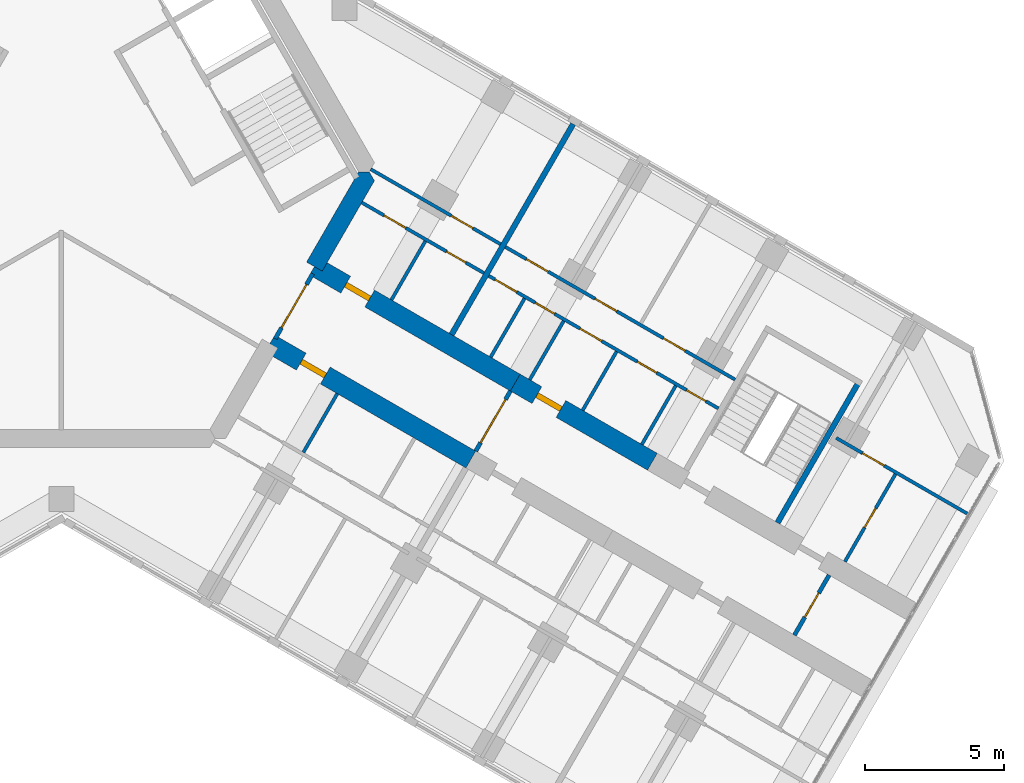
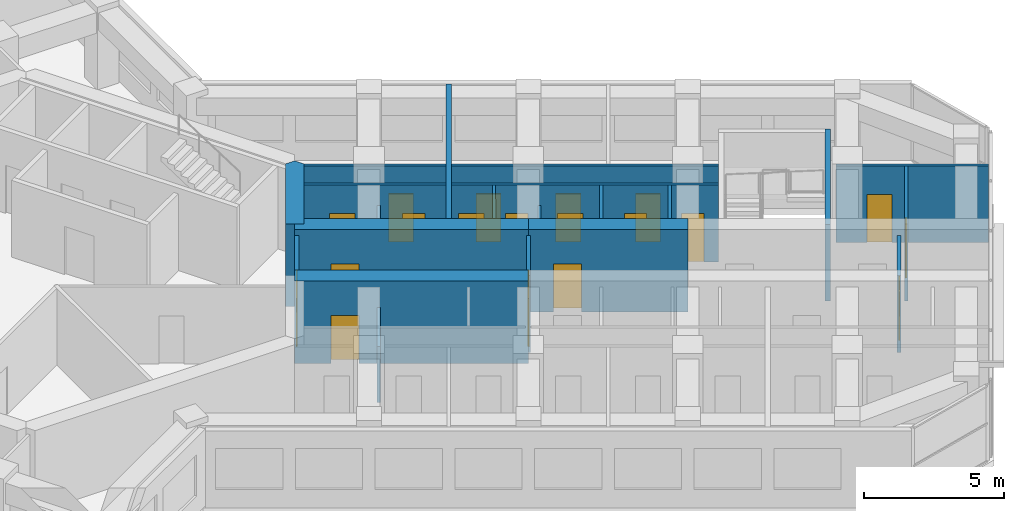
# One storey, part 12 of 16: 21 walls, 19 doors, 19 openings.
"""IFC4 building model written with IfcOpenShell, lengths in metres."""

from ifc_helpers import new_model, si_unit, direction, frame, frame_2d, origin, place, context, subcontext, project, spatial, polyline, rectangle, outline, extrude, material, layer, layer_set, type_object, element, fill, save


model = new_model("IFC4")

# Units and contexts
model_context = context("Model", 3, precision=1e-05, world=origin(), true_north=direction((0.0, 1.0)))
body_context = subcontext(model_context, "Body", "Model", "MODEL_VIEW")
ifc_project = project(units=[si_unit("LENGTHUNIT", "METRE"), si_unit("AREAUNIT", "SQUARE_METRE"), si_unit("VOLUMEUNIT", "CUBIC_METRE"), si_unit("PLANEANGLEUNIT", "RADIAN"), si_unit("MASSUNIT", "GRAM", prefix="KILO")], contexts=[model_context])

# Site, building, storey
site_placement = place(None, origin())
site = spatial("IfcSite", under=ifc_project, at=site_placement, CompositionType="ELEMENT")
building_placement = place(site_placement, origin())
building = spatial("IfcBuilding", under=site, at=building_placement, Name="Kosmar Iwan School Tower", CompositionType="ELEMENT")
storey_placement = place(building_placement, frame((0.0, 0.0, 197.39990234375)))
storey = spatial("IfcBuildingStorey", under=building, at=storey_placement, Name="L49", CompositionType="ELEMENT", Elevation=197.39990234375)

# Wall
ifc_material_1 = material(Name="Concrete C50/60", Category="concrete")
ifc_layer_1 = layer(ifc_material_1, 0.64990234375)
ifc_layer_set_1 = layer_set([ifc_layer_1], Name="Core wall 650")
wall_type_1 = type_object("IfcWallType", Name="Core wall 650", PredefinedType="SHEAR", material=ifc_layer_set_1)
wall_1_placement = place(storey_placement, origin())
element("IfcWall", 1, at=wall_1_placement, inside=storey, type_object=wall_type_1, Name="Core wall F330b", PredefinedType="SHEAR", context=body_context, shape_type="SweptSolid", body=[
    extrude(outline(polyline([(9.395263671875, -3.576904296875), (11.272705078125, -0.324951171875), (11.085205078125, 0.0), (10.7099609375, 0.0), (8.832275390625, -3.251953125), (9.395263671875, -3.576904296875)])), origin(), (0.0, 0.0, 1.0), 3.60009765625),
])

# Wall, opening, door
ifc_material_2 = material(Name="Concrete C50/60", Category="concrete")
ifc_layer_2 = layer(ifc_material_2, 0.699951171875)
ifc_layer_set_2 = layer_set([ifc_layer_2], Name="Corridor buttress wall 700")
wall_type_2 = type_object("IfcWallType", Name="Corridor buttress wall 700", PredefinedType="SHEAR", material=ifc_layer_set_2)
wall_2_placement = place(storey_placement, frame((9.11376953125, -3.414306640625, 0.0), z_axis=(0.0, 0.0, 1.0), x_axis=(0.866026859388, -0.499997478812, 0.0)))
wall_2 = element("IfcWall", 2, at=wall_2_placement, inside=storey, type_object=wall_type_2, Name="Corridor wall CL", PredefinedType="SHEAR", context=body_context, shape_type="SweptSolid", body=[
    extrude(rectangle(XDim=8.35009765625, YDim=0.699951171875, at=frame_2d((4.175048828125, 0.0))), origin(), (0.0, 0.0, 1.0), 3.60009765625),
])
opening_1_placement = place(wall_2_placement, frame((1.300048828125, 0.0, 0.0)))
opening_1 = element("IfcOpeningElement", 3, at=opening_1_placement, cuts=wall_2, Name="Opening D1", PredefinedType="OPENING", context=body_context, shape_type="SweptSolid", body=[
    extrude(rectangle(XDim=1.0, YDim=2.10009765625, at=frame_2d((0.5, 1.050048828125))), frame((0.0, 0.362060546875, 0.0), z_axis=(0.0, -1.0, 0.0), x_axis=(1.0, 0.0, 0.0)), (0.0, 0.0, 1.0), 0.723876953125),
])
ifc_material_3 = material(Name="Timber fire door in steel frame", Category="steel")
door_type_1 = type_object("IfcDoorType", Name="Flat entrance door 1000x2100", OperationType="SINGLE_SWING_LEFT", PredefinedType="DOOR", material=ifc_material_3)
door_1_placement = place(opening_1_placement, origin())
door_1 = element("IfcDoor", 4, at=door_1_placement, inside=storey, type_object=door_type_1, Name="Flat L49-CL1 entrance door", OperationType="SINGLE_SWING_RIGHT", OverallHeight=2.10009765625, OverallWidth=1.0, PredefinedType="DOOR", context=body_context, shape_type="SweptSolid", body=[
    extrude(rectangle(XDim=1.0, YDim=2.10009765625, at=frame_2d((0.5, 1.050048828125))), frame((0.0, 0.10009765625, 0.0), z_axis=(0.0, -1.0, 0.0), x_axis=(1.0, 0.0, 0.0)), (0.0, 0.0, 1.0), 0.199951171875),
])
fill(opening_1, door_1)

wall_3_placement = place(storey_placement, frame((16.34521484375, -7.58935546875, 0.0), z_axis=(0.0, 0.0, 1.0), x_axis=(0.866015111908, -0.50001782563, 0.0)))
wall_3 = element("IfcWall", 5, at=wall_3_placement, inside=storey, type_object=wall_type_2, Name="Corridor wall CL bay 2", PredefinedType="SHEAR", context=body_context, shape_type="SweptSolid", body=[
    extrude(rectangle(XDim=5.699951171875, YDim=0.699951171875, at=frame_2d((2.85009765625, 0.0))), origin(), (0.0, 0.0, 1.0), 3.60009765625),
])
opening_2_placement = place(wall_3_placement, frame((0.89990234375, 0.0, 0.0)))
opening_2 = element("IfcOpeningElement", 6, at=opening_2_placement, cuts=wall_3, Name="Opening D1", PredefinedType="OPENING", context=body_context, shape_type="SweptSolid", body=[
    extrude(rectangle(XDim=1.0, YDim=2.10009765625, at=frame_2d((0.5, 1.050048828125))), frame((0.0, 0.362060546875, 0.0), z_axis=(0.0, -1.0, 0.0), x_axis=(1.0, 0.0, 0.0)), (0.0, 0.0, 1.0), 0.723876953125),
])
door_2_placement = place(opening_2_placement, origin())
door_2 = element("IfcDoor", 7, at=door_2_placement, inside=storey, type_object=door_type_1, Name="Flat L49-CL2 entrance door", OperationType="SINGLE_SWING_LEFT", OverallHeight=2.10009765625, OverallWidth=1.0, PredefinedType="DOOR", context=body_context, shape_type="SweptSolid", body=[
    extrude(rectangle(XDim=1.0, YDim=2.10009765625, at=frame_2d((0.5, 1.050048828125))), frame((0.0, 0.10009765625, 0.0), z_axis=(0.0, -1.0, 0.0), x_axis=(1.0, 0.0, 0.0)), (0.0, 0.0, 1.0), 0.199951171875),
])
fill(opening_2, door_2)

wall_4_placement = place(storey_placement, frame((7.513916015625, -6.185546875, 0.0), z_axis=(0.0, 0.0, 1.0), x_axis=(0.866019549707, -0.500010139422, 0.0)))
wall_4 = element("IfcWall", 8, at=wall_4_placement, inside=storey, type_object=wall_type_2, Name="Corridor wall CR", PredefinedType="SHEAR", context=body_context, shape_type="SweptSolid", body=[
    extrude(rectangle(XDim=8.349853515625, YDim=0.699951171875, at=frame_2d((4.1748046875, 0.0))), origin(), (0.0, 0.0, 1.0), 3.60009765625),
])
opening_3_placement = place(wall_4_placement, frame((1.300048828125, 0.0, 0.0)))
opening_3 = element("IfcOpeningElement", 9, at=opening_3_placement, cuts=wall_4, Name="Opening D1", PredefinedType="OPENING", context=body_context, shape_type="SweptSolid", body=[
    extrude(rectangle(XDim=1.0, YDim=2.10009765625, at=frame_2d((0.5, 1.050048828125))), frame((0.0, 0.362060546875, 0.0), z_axis=(0.0, -1.0, 0.0), x_axis=(1.0, 0.0, 0.0)), (0.0, 0.0, 1.0), 0.723876953125),
])
door_3_placement = place(opening_3_placement, origin())
door_3 = element("IfcDoor", 10, at=door_3_placement, inside=storey, type_object=door_type_1, Name="Flat L49-CR1 entrance door", OperationType="SINGLE_SWING_LEFT", OverallHeight=2.10009765625, OverallWidth=1.0, PredefinedType="DOOR", context=body_context, shape_type="SweptSolid", body=[
    extrude(rectangle(XDim=1.0, YDim=2.10009765625, at=frame_2d((0.5, 1.050048828125))), frame((0.0, 0.10009765625, 0.0), z_axis=(0.0, -1.0, 0.0), x_axis=(1.0, 0.0, 0.0)), (0.0, 0.0, 1.0), 0.199951171875),
])
fill(opening_3, door_3)

ifc_material_4 = material(Name="Gypsum board on steel studs, fire-rated", Category="steel")
ifc_layer_3 = layer(ifc_material_4, 0.14990234375)
ifc_layer_set_3 = layer_set([ifc_layer_3], Name="Corridor end wall 150")
wall_type_3 = type_object("IfcWallType", Name="Corridor end wall 150", PredefinedType="PARTITIONING", material=ifc_layer_set_3)
wall_5_placement = place(storey_placement, frame((26.39501953125, -16.6826171875, 0.0), z_axis=(0.0, 0.0, 1.0), x_axis=(0.500004234368, 0.866022959057, 0.0)))
wall_5 = element("IfcWall", 11, at=wall_5_placement, inside=storey, type_object=wall_type_3, Name="Partition L49-C-CE", PredefinedType="PARTITIONING", context=body_context, shape_type="SweptSolid", body=[
    extrude(rectangle(XDim=2.5, YDim=0.14990234375, at=frame_2d((1.25, 0.0))), origin(), (0.0, 0.0, 1.0), 3.35009765625),
])
opening_4_placement = place(wall_5_placement, frame((0.75, 0.0, 0.0)))
opening_4 = element("IfcOpeningElement", 12, at=opening_4_placement, cuts=wall_5, Name="Opening D13", PredefinedType="OPENING", context=body_context, shape_type="SweptSolid", body=[
    extrude(rectangle(XDim=1.0, YDim=2.10009765625, at=frame_2d((0.5, 1.050048828125))), frame((0.0, 0.0869140625, 0.0), z_axis=(0.0, -1.0, 0.0), x_axis=(1.0, 0.0, 0.0)), (0.0, 0.0, 1.0), 0.173828125),
])
ifc_material_5 = material(Name="Timber fire door with vision panel", Category="wood")
door_type_2 = type_object("IfcDoorType", Name="Corridor end door 1000x2100", OperationType="SINGLE_SWING_LEFT", PredefinedType="DOOR", material=ifc_material_5)
door_4_placement = place(opening_4_placement, origin())
door_4 = element("IfcDoor", 13, at=door_4_placement, inside=storey, type_object=door_type_2, Name="Laundry and drying room door L49-C", OperationType="SINGLE_SWING_RIGHT", OverallHeight=2.10009765625, OverallWidth=1.0, PredefinedType="DOOR", context=body_context, shape_type="SweptSolid", body=[
    extrude(rectangle(XDim=1.0, YDim=2.10009765625, at=frame_2d((0.5, 1.050048828125))), frame((0.0, 0.02490234375, 0.0), z_axis=(0.0, -1.0, 0.0), x_axis=(1.0, 0.0, 0.0)), (0.0, 0.0, 1.0), 0.050048828125),
])
fill(opening_4, door_4)

wall_6_placement = place(storey_placement, frame((14.920166015625, -10.0576171875, 0.0), z_axis=(0.0, 0.0, 1.0), x_axis=(0.500004234368, 0.866022959057, 0.0)))
wall_6 = element("IfcWall", 14, at=wall_6_placement, inside=storey, type_object=wall_type_3, Name="Partition L49-C-HW", PredefinedType="PARTITIONING", context=body_context, shape_type="SweptSolid", body=[
    extrude(rectangle(XDim=2.5, YDim=0.14990234375, at=frame_2d((1.25, 0.0))), origin(), (0.0, 0.0, 1.0), 3.35009765625),
])
opening_5_placement = place(wall_6_placement, frame((0.35009765625, 0.0, 0.0)))
opening_5 = element("IfcOpeningElement", 15, at=opening_5_placement, cuts=wall_6, Name="Opening D9", PredefinedType="OPENING", context=body_context, shape_type="SweptSolid", body=[
    extrude(rectangle(XDim=1.800048828125, YDim=2.10009765625, at=frame_2d((0.89990234375, 1.050048828125))), frame((0.0, 0.0869140625, 0.0), z_axis=(0.0, -1.0, 0.0), x_axis=(1.0, 0.0, 0.0)), (0.0, 0.0, 1.0), 0.173828125),
])
ifc_material_6 = material(Name="Steel framed glazed smoke door", Category="steel")
door_type_3 = type_object("IfcDoorType", Name="Corridor smoke door pair 1800x2100", OperationType="DOUBLE_DOOR_DOUBLE_SWING", PredefinedType="DOOR", material=ifc_material_6)
door_5_placement = place(opening_5_placement, origin())
door_5 = element("IfcDoor", 16, at=door_5_placement, inside=storey, type_object=door_type_3, Name="Entrance vestibule smoke doors L49-C", OperationType="DOUBLE_DOOR_DOUBLE_SWING", OverallHeight=2.10009765625, OverallWidth=1.800048828125, PredefinedType="DOOR", context=body_context, shape_type="SweptSolid", body=[
    extrude(rectangle(XDim=1.800048828125, YDim=2.10009765625, at=frame_2d((0.89990234375, 1.050048828125))), frame((0.0, 0.02490234375, 0.0), z_axis=(0.0, -1.0, 0.0), x_axis=(1.0, 0.0, 0.0)), (0.0, 0.0, 1.0), 0.050048828125),
])
fill(opening_5, door_5)

ifc_material_7 = material(Name="Steel framed glazed screen", Category="steel")
ifc_layer_4 = layer(ifc_material_7, 0.14990234375)
ifc_layer_set_4 = layer_set([ifc_layer_4], Name="Corridor screen wall 150")
wall_type_4 = type_object("IfcWallType", Name="Corridor screen wall 150", PredefinedType="PARTITIONING", material=ifc_layer_set_4)
wall_7_placement = place(storey_placement, frame((7.703857421875, -6.006591796875, 0.0), z_axis=(0.0, 0.0, 1.0), x_axis=(0.499980770555, 0.866036505625, 0.0)))
wall_7 = element("IfcWall", 17, at=wall_7_placement, inside=storey, type_object=wall_type_4, Name="Corridor screen C L49", PredefinedType="PARTITIONING", context=body_context, shape_type="SweptSolid", body=[
    extrude(rectangle(XDim=2.69970703125, YDim=0.14990234375, at=frame_2d((1.349853515625, 0.0))), origin(), (0.0, 0.0, 1.0), 3.35009765625),
])
opening_6_placement = place(wall_7_placement, frame((0.449951171875, 0.0, 0.0)))
opening_6 = element("IfcOpeningElement", 18, at=opening_6_placement, cuts=wall_7, Name="Opening D9", PredefinedType="OPENING", context=body_context, shape_type="SweptSolid", body=[
    extrude(rectangle(XDim=1.800048828125, YDim=2.10009765625, at=frame_2d((0.89990234375, 1.050048828125))), frame((0.0, 0.0869140625, 0.0), z_axis=(0.0, -1.0, 0.0), x_axis=(1.0, 0.0, 0.0)), (0.0, 0.0, 1.0), 0.173828125),
])
door_6_placement = place(opening_6_placement, origin())
door_6 = element("IfcDoor", 19, at=door_6_placement, inside=storey, type_object=door_type_3, Name="Corridor doors C L49", OperationType="DOUBLE_DOOR_DOUBLE_SWING", OverallHeight=2.10009765625, OverallWidth=1.800048828125, PredefinedType="DOOR", context=body_context, shape_type="SweptSolid", body=[
    extrude(rectangle(XDim=1.800048828125, YDim=2.10009765625, at=frame_2d((0.89990234375, 1.050048828125))), frame((0.0, 0.02490234375, 0.0), z_axis=(0.0, -1.0, 0.0), x_axis=(1.0, 0.0, 0.0)), (0.0, 0.0, 1.0), 0.050048828125),
])
fill(opening_6, door_6)

# Wall, openings, doors
ifc_material_8 = material(Name="Gypsum board on steel studs", Category="steel")
ifc_layer_5 = layer(ifc_material_8, 0.1201171875)
ifc_layer_set_5 = layer_set([ifc_layer_5], Name="Dwelling partition 120")
wall_type_5 = type_object("IfcWallType", Name="Dwelling partition 120", PredefinedType="PARTITIONING", material=ifc_layer_set_5)
wall_8_placement = place(storey_placement, frame((10.8203125, -1.108642578125, 0.0), z_axis=(0.0, 0.0, 1.0), x_axis=(0.866014145503, -0.500019499409, 0.0)))
wall_8 = element("IfcWall", 20, at=wall_8_placement, inside=storey, type_object=wall_type_5, Name="Partition L49-CL1-W1", PredefinedType="PARTITIONING", context=body_context, shape_type="SweptSolid", body=[
    extrude(rectangle(XDim=5.074951171875, YDim=0.1201171875, at=frame_2d((2.53759765625, 0.0))), origin(), (0.0, 0.0, 1.0), 3.35009765625),
])
opening_7_placement = place(wall_8_placement, frame((0.925048828125, 0.0, 0.0)))
opening_7 = element("IfcOpeningElement", 21, at=opening_7_placement, cuts=wall_8, Name="Opening D2", PredefinedType="OPENING", context=body_context, shape_type="SweptSolid", body=[
    extrude(rectangle(XDim=0.89990234375, YDim=2.10009765625, at=frame_2d((0.449951171875, 1.050048828125))), frame((0.0, 0.072021484375, 0.0), z_axis=(0.0, -1.0, 0.0), x_axis=(1.0, 0.0, 0.0)), (0.0, 0.0, 1.0), 0.14404296875),
])
opening_8_placement = place(wall_8_placement, frame((3.52490234375, 0.0, 0.0)))
opening_8 = element("IfcOpeningElement", 22, at=opening_8_placement, cuts=wall_8, Name="Opening D3", PredefinedType="OPENING", context=body_context, shape_type="SweptSolid", body=[
    extrude(rectangle(XDim=0.800048828125, YDim=2.10009765625, at=frame_2d((0.39990234375, 1.050048828125))), frame((0.0, 0.072021484375, 0.0), z_axis=(0.0, -1.0, 0.0), x_axis=(1.0, 0.0, 0.0)), (0.0, 0.0, 1.0), 0.14404296875),
])
ifc_material_9 = material(Name="Timber door in timber frame", Category="wood")
door_type_4 = type_object("IfcDoorType", Name="Internal door 900x2100", OperationType="SINGLE_SWING_LEFT", PredefinedType="DOOR", material=ifc_material_9)
door_7_placement = place(opening_7_placement, origin())
door_7 = element("IfcDoor", 23, at=door_7_placement, inside=storey, type_object=door_type_4, Name="Entrance hall door L49-CL1-S1", OperationType="SINGLE_SWING_LEFT", OverallHeight=2.10009765625, OverallWidth=0.89990234375, PredefinedType="DOOR", context=body_context, shape_type="SweptSolid", body=[
    extrude(rectangle(XDim=0.89990234375, YDim=2.10009765625, at=frame_2d((0.449951171875, 1.050048828125))), frame((0.0, 0.02490234375, 0.0), z_axis=(0.0, -1.0, 0.0), x_axis=(1.0, 0.0, 0.0)), (0.0, 0.0, 1.0), 0.050048828125),
])
fill(opening_7, door_7)
ifc_material_10 = material(Name="Timber door in timber frame", Category="wood")
door_type_5 = type_object("IfcDoorType", Name="Sanitary room door 800x2100", OperationType="SINGLE_SWING_LEFT", PredefinedType="DOOR", material=ifc_material_10)
door_8_placement = place(opening_8_placement, origin())
door_8 = element("IfcDoor", 24, at=door_8_placement, inside=storey, type_object=door_type_5, Name="Bathroom door L49-CL1-S2", OperationType="SINGLE_SWING_RIGHT", OverallHeight=2.10009765625, OverallWidth=0.800048828125, PredefinedType="DOOR", context=body_context, shape_type="SweptSolid", body=[
    extrude(rectangle(XDim=0.800048828125, YDim=2.10009765625, at=frame_2d((0.39990234375, 1.050048828125))), frame((0.0, 0.02490234375, 0.0), z_axis=(0.0, -1.0, 0.0), x_axis=(1.0, 0.0, 0.0)), (0.0, 0.0, 1.0), 0.050048828125),
])
fill(opening_8, door_8)

# Wall, opening, door
wall_9_placement = place(storey_placement, frame((11.138916015625, 0.093017578125, 0.0), z_axis=(0.0, 0.0, 1.0), x_axis=(0.866028230842, -0.499995103361, 0.0)))
wall_9 = element("IfcWall", 25, at=wall_9_placement, inside=storey, type_object=wall_type_5, Name="Partition L49-CL1-W2", PredefinedType="PARTITIONING", context=body_context, shape_type="SweptSolid", body=[
    extrude(rectangle(XDim=5.39990234375, YDim=0.1201171875, at=frame_2d((2.699951171875, 0.0))), origin(), (0.0, 0.0, 1.0), 3.35009765625),
])
opening_9_placement = place(wall_9_placement, frame((3.35009765625, 0.0, 0.0)))
opening_9 = element("IfcOpeningElement", 26, at=opening_9_placement, cuts=wall_9, Name="Opening D2", PredefinedType="OPENING", context=body_context, shape_type="SweptSolid", body=[
    extrude(rectangle(XDim=0.89990234375, YDim=2.10009765625, at=frame_2d((0.449951171875, 1.050048828125))), frame((0.0, 0.072021484375, 0.0), z_axis=(0.0, -1.0, 0.0), x_axis=(1.0, 0.0, 0.0)), (0.0, 0.0, 1.0), 0.14404296875),
])
door_9_placement = place(opening_9_placement, origin())
door_9 = element("IfcDoor", 27, at=door_9_placement, inside=storey, type_object=door_type_4, Name="Studio living room and kitchen door L49-CL1-F1", OperationType="SINGLE_SWING_RIGHT", OverallHeight=2.10009765625, OverallWidth=0.89990234375, PredefinedType="DOOR", context=body_context, shape_type="SweptSolid", body=[
    extrude(rectangle(XDim=0.89990234375, YDim=2.10009765625, at=frame_2d((0.449951171875, 1.050048828125))), frame((0.0, 0.02490234375, 0.0), z_axis=(0.0, -1.0, 0.0), x_axis=(1.0, 0.0, 0.0)), (0.0, 0.0, 1.0), 0.050048828125),
])
fill(opening_9, door_9)

# Wall
wall_10_placement = place(storey_placement, frame((11.886962890625, -4.611328125, 0.0), z_axis=(0.0, 0.0, 1.0), x_axis=(0.499959183527, 0.866048967903, 0.0)))
element("IfcWall", 28, at=wall_10_placement, inside=storey, type_object=wall_type_5, Name="Partition L49-CL1-Y1", PredefinedType="PARTITIONING", context=body_context, shape_type="SweptSolid", body=[
    extrude(rectangle(XDim=2.440185546875, YDim=0.1201171875, at=frame_2d((1.22021484375, 0.0))), origin(), (0.0, 0.0, 1.0), 2.4501953125),
])

# Wall, openings, doors
wall_11_placement = place(storey_placement, frame((15.388671875, -3.74609375, 0.0), z_axis=(0.0, 0.0, 1.0), x_axis=(0.866017851049, -0.500013081493, 0.0)))
wall_11 = element("IfcWall", 29, at=wall_11_placement, inside=storey, type_object=wall_type_5, Name="Partition L49-CL2-W1", PredefinedType="PARTITIONING", context=body_context, shape_type="SweptSolid", body=[
    extrude(rectangle(XDim=9.550048828125, YDim=0.1201171875, at=frame_2d((4.77490234375, 0.0))), origin(), (0.0, 0.0, 1.0), 3.35009765625),
])
opening_10_placement = place(wall_11_placement, frame((0.262451171875, 0.0, 0.0)))
opening_10 = element("IfcOpeningElement", 30, at=opening_10_placement, cuts=wall_11, Name="Opening D2", PredefinedType="OPENING", context=body_context, shape_type="SweptSolid", body=[
    extrude(rectangle(XDim=0.89990234375, YDim=2.10009765625, at=frame_2d((0.449951171875, 1.050048828125))), frame((0.0, 0.072021484375, 0.0), z_axis=(0.0, -1.0, 0.0), x_axis=(1.0, 0.0, 0.0)), (0.0, 0.0, 1.0), 0.14404296875),
])
opening_11_placement = place(wall_11_placement, frame((1.9375, 0.0, 0.0)))
opening_11 = element("IfcOpeningElement", 31, at=opening_11_placement, cuts=wall_11, Name="Opening D3", PredefinedType="OPENING", context=body_context, shape_type="SweptSolid", body=[
    extrude(rectangle(XDim=0.800048828125, YDim=2.10009765625, at=frame_2d((0.39990234375, 1.050048828125))), frame((0.0, 0.072021484375, 0.0), z_axis=(0.0, -1.0, 0.0), x_axis=(1.0, 0.0, 0.0)), (0.0, 0.0, 1.0), 0.14404296875),
])
opening_12_placement = place(wall_11_placement, frame((3.800048828125, 0.0, 0.0)))
opening_12 = element("IfcOpeningElement", 32, at=opening_12_placement, cuts=wall_11, Name="Opening D2", PredefinedType="OPENING", context=body_context, shape_type="SweptSolid", body=[
    extrude(rectangle(XDim=0.89990234375, YDim=2.10009765625, at=frame_2d((0.449951171875, 1.050048828125))), frame((0.0, 0.072021484375, 0.0), z_axis=(0.0, -1.0, 0.0), x_axis=(1.0, 0.0, 0.0)), (0.0, 0.0, 1.0), 0.14404296875),
])
opening_13_placement = place(wall_11_placement, frame((6.179931640625, 0.0, 0.0)))
opening_13 = element("IfcOpeningElement", 33, at=opening_13_placement, cuts=wall_11, Name="Opening D3", PredefinedType="OPENING", context=body_context, shape_type="SweptSolid", body=[
    extrude(rectangle(XDim=0.800048828125, YDim=2.10009765625, at=frame_2d((0.39990234375, 1.050048828125))), frame((0.0, 0.072021484375, 0.0), z_axis=(0.0, -1.0, 0.0), x_axis=(1.0, 0.0, 0.0)), (0.0, 0.0, 1.0), 0.14404296875),
])
opening_14_placement = place(wall_11_placement, frame((8.22998046875, 0.0, 0.0)))
opening_14 = element("IfcOpeningElement", 34, at=opening_14_placement, cuts=wall_11, Name="Opening D3", PredefinedType="OPENING", context=body_context, shape_type="SweptSolid", body=[
    extrude(rectangle(XDim=0.800048828125, YDim=2.10009765625, at=frame_2d((0.39990234375, 1.050048828125))), frame((0.0, 0.072021484375, 0.0), z_axis=(0.0, -1.0, 0.0), x_axis=(1.0, 0.0, 0.0)), (0.0, 0.0, 1.0), 0.14404296875),
])
door_10_placement = place(opening_10_placement, origin())
door_10 = element("IfcDoor", 35, at=door_10_placement, inside=storey, type_object=door_type_4, Name="Pantry door L49-CL2-S1", OperationType="SINGLE_SWING_LEFT", OverallHeight=2.10009765625, OverallWidth=0.89990234375, PredefinedType="DOOR", context=body_context, shape_type="SweptSolid", body=[
    extrude(rectangle(XDim=0.89990234375, YDim=2.10009765625, at=frame_2d((0.449951171875, 1.050048828125))), frame((0.0, 0.02490234375, 0.0), z_axis=(0.0, -1.0, 0.0), x_axis=(1.0, 0.0, 0.0)), (0.0, 0.0, 1.0), 0.050048828125),
])
fill(opening_10, door_10)
door_11_placement = place(opening_12_placement, origin())
door_11 = element("IfcDoor", 36, at=door_11_placement, inside=storey, type_object=door_type_4, Name="Entrance hall door L49-CL2-S3", OperationType="SINGLE_SWING_LEFT", OverallHeight=2.10009765625, OverallWidth=0.89990234375, PredefinedType="DOOR", context=body_context, shape_type="SweptSolid", body=[
    extrude(rectangle(XDim=0.89990234375, YDim=2.10009765625, at=frame_2d((0.449951171875, 1.050048828125))), frame((0.0, 0.02490234375, 0.0), z_axis=(0.0, -1.0, 0.0), x_axis=(1.0, 0.0, 0.0)), (0.0, 0.0, 1.0), 0.050048828125),
])
fill(opening_12, door_11)
door_12_placement = place(opening_11_placement, origin())
door_12 = element("IfcDoor", 37, at=door_12_placement, inside=storey, type_object=door_type_5, Name="Grandparents' shower room door L49-CL2-S2", OperationType="SINGLE_SWING_LEFT", OverallHeight=2.10009765625, OverallWidth=0.800048828125, PredefinedType="DOOR", context=body_context, shape_type="SweptSolid", body=[
    extrude(rectangle(XDim=0.800048828125, YDim=2.10009765625, at=frame_2d((0.39990234375, 1.050048828125))), frame((0.0, 0.02490234375, 0.0), z_axis=(0.0, -1.0, 0.0), x_axis=(1.0, 0.0, 0.0)), (0.0, 0.0, 1.0), 0.050048828125),
])
fill(opening_11, door_12)
door_13_placement = place(opening_13_placement, origin())
door_13 = element("IfcDoor", 38, at=door_13_placement, inside=storey, type_object=door_type_5, Name="Bathroom door L49-CL2-S4", OperationType="SINGLE_SWING_RIGHT", OverallHeight=2.10009765625, OverallWidth=0.800048828125, PredefinedType="DOOR", context=body_context, shape_type="SweptSolid", body=[
    extrude(rectangle(XDim=0.800048828125, YDim=2.10009765625, at=frame_2d((0.39990234375, 1.050048828125))), frame((0.0, 0.02490234375, 0.0), z_axis=(0.0, -1.0, 0.0), x_axis=(1.0, 0.0, 0.0)), (0.0, 0.0, 1.0), 0.050048828125),
])
fill(opening_13, door_13)
door_14_placement = place(opening_14_placement, origin())
door_14 = element("IfcDoor", 39, at=door_14_placement, inside=storey, type_object=door_type_5, Name="Shower room door L49-CL2-S5", OperationType="SINGLE_SWING_RIGHT", OverallHeight=2.10009765625, OverallWidth=0.800048828125, PredefinedType="DOOR", context=body_context, shape_type="SweptSolid", body=[
    extrude(rectangle(XDim=0.800048828125, YDim=2.10009765625, at=frame_2d((0.39990234375, 1.050048828125))), frame((0.0, 0.02490234375, 0.0), z_axis=(0.0, -1.0, 0.0), x_axis=(1.0, 0.0, 0.0)), (0.0, 0.0, 1.0), 0.050048828125),
])
fill(opening_14, door_14)

wall_12_placement = place(storey_placement, frame((15.988525390625, -2.70703125, 0.0), z_axis=(0.0, 0.0, 1.0), x_axis=(0.866028920859, -0.499993908199, 0.0)))
wall_12 = element("IfcWall", 40, at=wall_12_placement, inside=storey, type_object=wall_type_5, Name="Partition L49-CL2-W2", PredefinedType="PARTITIONING", context=body_context, shape_type="SweptSolid", body=[
    extrude(rectangle(XDim=9.5498046875, YDim=0.1201171875, at=frame_2d((4.77490234375, 0.0))), origin(), (0.0, 0.0, 1.0), 3.35009765625),
])
opening_15_placement = place(wall_12_placement, frame((0.875, 0.0, 0.0)))
opening_15 = element("IfcOpeningElement", 41, at=opening_15_placement, cuts=wall_12, Name="Opening D2", PredefinedType="OPENING", context=body_context, shape_type="SweptSolid", body=[
    extrude(rectangle(XDim=0.89990234375, YDim=2.10009765625, at=frame_2d((0.449951171875, 1.050048828125))), frame((0.0, 0.072021484375, 0.0), z_axis=(0.0, -1.0, 0.0), x_axis=(1.0, 0.0, 0.0)), (0.0, 0.0, 1.0), 0.14404296875),
])
opening_16_placement = place(wall_12_placement, frame((3.72509765625, 0.0, 0.0)))
opening_16 = element("IfcOpeningElement", 42, at=opening_16_placement, cuts=wall_12, Name="Opening D2", PredefinedType="OPENING", context=body_context, shape_type="SweptSolid", body=[
    extrude(rectangle(XDim=0.89990234375, YDim=2.10009765625, at=frame_2d((0.449951171875, 1.050048828125))), frame((0.0, 0.072021484375, 0.0), z_axis=(0.0, -1.0, 0.0), x_axis=(1.0, 0.0, 0.0)), (0.0, 0.0, 1.0), 0.14404296875),
])
opening_17_placement = place(wall_12_placement, frame((6.574951171875, 0.0, 0.0)))
opening_17 = element("IfcOpeningElement", 43, at=opening_17_placement, cuts=wall_12, Name="Opening D2", PredefinedType="OPENING", context=body_context, shape_type="SweptSolid", body=[
    extrude(rectangle(XDim=0.89990234375, YDim=2.10009765625, at=frame_2d((0.449951171875, 1.050048828125))), frame((0.0, 0.072021484375, 0.0), z_axis=(0.0, -1.0, 0.0), x_axis=(1.0, 0.0, 0.0)), (0.0, 0.0, 1.0), 0.14404296875),
])
door_15_placement = place(opening_15_placement, origin())
door_15 = element("IfcDoor", 44, at=door_15_placement, inside=storey, type_object=door_type_4, Name="Living room and kitchen door L49-CL2-F1", OperationType="SINGLE_SWING_RIGHT", OverallHeight=2.10009765625, OverallWidth=0.89990234375, PredefinedType="DOOR", context=body_context, shape_type="SweptSolid", body=[
    extrude(rectangle(XDim=0.89990234375, YDim=2.10009765625, at=frame_2d((0.449951171875, 1.050048828125))), frame((0.0, 0.02490234375, 0.0), z_axis=(0.0, -1.0, 0.0), x_axis=(1.0, 0.0, 0.0)), (0.0, 0.0, 1.0), 0.050048828125),
])
fill(opening_15, door_15)
door_16_placement = place(opening_16_placement, origin())
door_16 = element("IfcDoor", 45, at=door_16_placement, inside=storey, type_object=door_type_4, Name="Grandparents' suite door L49-CL2-F2", OperationType="SINGLE_SWING_LEFT", OverallHeight=2.10009765625, OverallWidth=0.89990234375, PredefinedType="DOOR", context=body_context, shape_type="SweptSolid", body=[
    extrude(rectangle(XDim=0.89990234375, YDim=2.10009765625, at=frame_2d((0.449951171875, 1.050048828125))), frame((0.0, 0.02490234375, 0.0), z_axis=(0.0, -1.0, 0.0), x_axis=(1.0, 0.0, 0.0)), (0.0, 0.0, 1.0), 0.050048828125),
])
fill(opening_16, door_16)
door_17_placement = place(opening_17_placement, origin())
door_17 = element("IfcDoor", 46, at=door_17_placement, inside=storey, type_object=door_type_4, Name="Bedroom 1 door L49-CL2-F3", OperationType="SINGLE_SWING_RIGHT", OverallHeight=2.10009765625, OverallWidth=0.89990234375, PredefinedType="DOOR", context=body_context, shape_type="SweptSolid", body=[
    extrude(rectangle(XDim=0.89990234375, YDim=2.10009765625, at=frame_2d((0.449951171875, 1.050048828125))), frame((0.0, 0.02490234375, 0.0), z_axis=(0.0, -1.0, 0.0), x_axis=(1.0, 0.0, 0.0)), (0.0, 0.0, 1.0), 0.050048828125),
])
fill(opening_17, door_17)

# Walls
wall_13_placement = place(storey_placement, frame((15.459228515625, -6.673828125, 0.0), z_axis=(0.0, 0.0, 1.0), x_axis=(0.499959183527, 0.866048967903, 0.0)))
element("IfcWall", 47, at=wall_13_placement, inside=storey, type_object=wall_type_5, Name="Partition L49-CL2-Y1", PredefinedType="PARTITIONING", context=body_context, shape_type="SweptSolid", body=[
    extrude(rectangle(XDim=2.440185546875, YDim=0.1201171875, at=frame_2d((1.22021484375, 0.0))), origin(), (0.0, 0.0, 1.0), 3.35009765625),
])
wall_14_placement = place(storey_placement, frame((16.866455078125, -7.486328125, 0.0), z_axis=(0.0, 0.0, 1.0), x_axis=(0.500034220881, 0.866005645448, 0.0)))
element("IfcWall", 48, at=wall_14_placement, inside=storey, type_object=wall_type_5, Name="Partition L49-CL2-Y2", PredefinedType="PARTITIONING", context=body_context, shape_type="SweptSolid", body=[
    extrude(rectangle(XDim=2.440185546875, YDim=0.1201171875, at=frame_2d((1.22021484375, 0.0))), origin(), (0.0, 0.0, 1.0), 2.4501953125),
])
for number, where, z_axis, x_axis, name in (
    (49, (18.771728515625, -8.586181640625, 0.0), (0.0, 0.0, 1.0), (0.500077547548, 0.865980627057, 0.0), "Partition L49-CL2-Y3"),
    (50, (20.90234375, -9.816162109375, 0.0), (0.0, 0.0, 1.0), (0.500002508028, 0.866023955769, 0.0), "Partition L49-CL2-Y4"),
):
    element("IfcWall", number, at=place(storey_placement, frame(where, z_axis=z_axis, x_axis=x_axis)), inside=storey, type_object=wall_type_5, Name=name, PredefinedType="PARTITIONING", context=body_context, shape_type="SweptSolid", body=[
        extrude(rectangle(XDim=2.43994140625, YDim=0.1201171875, at=frame_2d((1.219970703125, 0.0))), origin(), (0.0, 0.0, 1.0), 3.35009765625),
    ])

# Wall, opening, door
wall_15_placement = place(storey_placement, frame((27.896484375, -9.58203125, 0.0), z_axis=(0.0, 0.0, 1.0), x_axis=(0.866035508231, -0.499982498177, 0.0)))
wall_15 = element("IfcWall", 51, at=wall_15_placement, inside=storey, type_object=wall_type_5, Name="Partition L49-CL3-TW", PredefinedType="PARTITIONING", context=body_context, shape_type="SweptSolid", body=[
    extrude(rectangle(XDim=5.445068359375, YDim=0.1201171875, at=frame_2d((2.72265625, 0.0))), origin(), (0.0, 0.0, 1.0), 3.35009765625),
])
opening_18_placement = place(wall_15_placement, frame((1.10009765625, 0.0, 0.0)))
opening_18 = element("IfcOpeningElement", 52, at=opening_18_placement, cuts=wall_15, Name="Opening D2", PredefinedType="OPENING", context=body_context, shape_type="SweptSolid", body=[
    extrude(rectangle(XDim=0.89990234375, YDim=2.10009765625, at=frame_2d((0.449951171875, 1.050048828125))), frame((0.0, 0.072021484375, 0.0), z_axis=(0.0, -1.0, 0.0), x_axis=(1.0, 0.0, 0.0)), (0.0, 0.0, 1.0), 0.14404296875),
])
door_18_placement = place(opening_18_placement, origin())
door_18 = element("IfcDoor", 53, at=door_18_placement, inside=storey, type_object=door_type_4, Name="Entrance hall door L49-CL3-T3", OperationType="SINGLE_SWING_LEFT", OverallHeight=2.10009765625, OverallWidth=0.89990234375, PredefinedType="DOOR", context=body_context, shape_type="SweptSolid", body=[
    extrude(rectangle(XDim=0.89990234375, YDim=2.10009765625, at=frame_2d((0.449951171875, 1.050048828125))), frame((0.0, 0.02490234375, 0.0), z_axis=(0.0, -1.0, 0.0), x_axis=(1.0, 0.0, 0.0)), (0.0, 0.0, 1.0), 0.050048828125),
])
fill(opening_18, door_18)

wall_16_placement = place(storey_placement, frame((28.21142578125, -14.036376953125, 0.0), z_axis=(0.0, 0.0, 1.0), x_axis=(0.499983701346, 0.866034813612, 0.0)))
wall_16 = element("IfcWall", 54, at=wall_16_placement, inside=storey, type_object=wall_type_5, Name="Partition L49-CL3-TY", PredefinedType="PARTITIONING", context=body_context, shape_type="SweptSolid", body=[
    extrude(rectangle(XDim=3.64013671875, YDim=0.1201171875, at=frame_2d((1.820068359375, 0.0))), origin(), (0.0, 0.0, 1.0), 3.35009765625),
])
opening_19_placement = place(wall_16_placement, frame((1.419921875, 0.0, 0.0)))
opening_19 = element("IfcOpeningElement", 55, at=opening_19_placement, cuts=wall_16, Name="Opening D3", PredefinedType="OPENING", context=body_context, shape_type="SweptSolid", body=[
    extrude(rectangle(XDim=0.800048828125, YDim=2.10009765625, at=frame_2d((0.39990234375, 1.050048828125))), frame((0.0, 0.072021484375, 0.0), z_axis=(0.0, -1.0, 0.0), x_axis=(1.0, 0.0, 0.0)), (0.0, 0.0, 1.0), 0.14404296875),
])
door_19_placement = place(opening_19_placement, origin())
door_19 = element("IfcDoor", 56, at=door_19_placement, inside=storey, type_object=door_type_5, Name="Bathroom door L49-CL3-T4", OperationType="SINGLE_SWING_RIGHT", OverallHeight=2.10009765625, OverallWidth=0.800048828125, PredefinedType="DOOR", context=body_context, shape_type="SweptSolid", body=[
    extrude(rectangle(XDim=0.800048828125, YDim=2.10009765625, at=frame_2d((0.39990234375, 1.050048828125))), frame((0.0, 0.02490234375, 0.0), z_axis=(0.0, -1.0, 0.0), x_axis=(1.0, 0.0, 0.0)), (0.0, 0.0, 1.0), 0.050048828125),
])
fill(opening_19, door_19)

# Walls
wall_17_placement = place(storey_placement, frame((9.93701171875, -7.98876953125, 0.0), z_axis=(0.0, 0.0, 1.0), x_axis=(-0.500077547548, -0.865980627057, 0.0)))
element("IfcWall", 57, at=wall_17_placement, inside=storey, type_object=wall_type_5, Name="Partition L49-CR1-Y1", PredefinedType="PARTITIONING", context=body_context, shape_type="SweptSolid", body=[
    extrude(rectangle(XDim=2.43994140625, YDim=0.1201171875, at=frame_2d((1.219970703125, 0.0))), origin(), (0.0, 0.0, 1.0), 2.4501953125),
])
ifc_material_11 = material(Name="Concrete C35/45", Category="concrete")
ifc_layer_6 = layer(ifc_material_11, 0.199951171875)
ifc_layer_set_6 = layer_set([ifc_layer_6], Name="Escape stair wall 200")
wall_type_6 = type_object("IfcWallType", Name="Escape stair wall 200", PredefinedType="SHEAR", material=ifc_layer_set_6)
wall_18_placement = place(storey_placement, frame((25.78662109375, -12.63623046875, 0.0), z_axis=(0.0, 0.0, 1.0), x_axis=(0.500013701029, 0.866017493347, 0.0)))
element("IfcWall", 58, at=wall_18_placement, inside=storey, type_object=wall_type_6, Name="Stair WS3 wall", PredefinedType="SHEAR", context=body_context, shape_type="SweptSolid", body=[
    extrude(rectangle(XDim=5.949951171875, YDim=0.199951171875, at=frame_2d((2.97509765625, 0.0))), origin(), (0.0, 0.0, 1.0), 3.330078125),
])
ifc_material_12 = material(Name="Concrete block masonry", Category="masonry")
ifc_layer_7 = layer(ifc_material_12, 0.199951171875)
ifc_layer_set_7 = layer_set([ifc_layer_7], Name="Party wall 200")
wall_type_7 = type_object("IfcWallType", Name="Party wall 200", PredefinedType="PARTITIONING", material=ifc_layer_set_7)
wall_19_placement = place(storey_placement, frame((14.052001953125, -5.861328125, 0.0), z_axis=(0.0, 0.0, 1.0), x_axis=(0.499992152613, 0.866029934428, 0.0)))
element("IfcWall", 59, at=wall_19_placement, inside=storey, type_object=wall_type_7, Name="Partition L49-CL2-PW", PredefinedType="PARTITIONING", context=body_context, shape_type="SweptSolid", body=[
    extrude(rectangle(XDim=8.750244140625, YDim=0.199951171875, at=frame_2d((4.375, 0.0))), origin(), (0.0, 0.0, 1.0), 3.35009765625),
])

save(model, "model.ifc")
